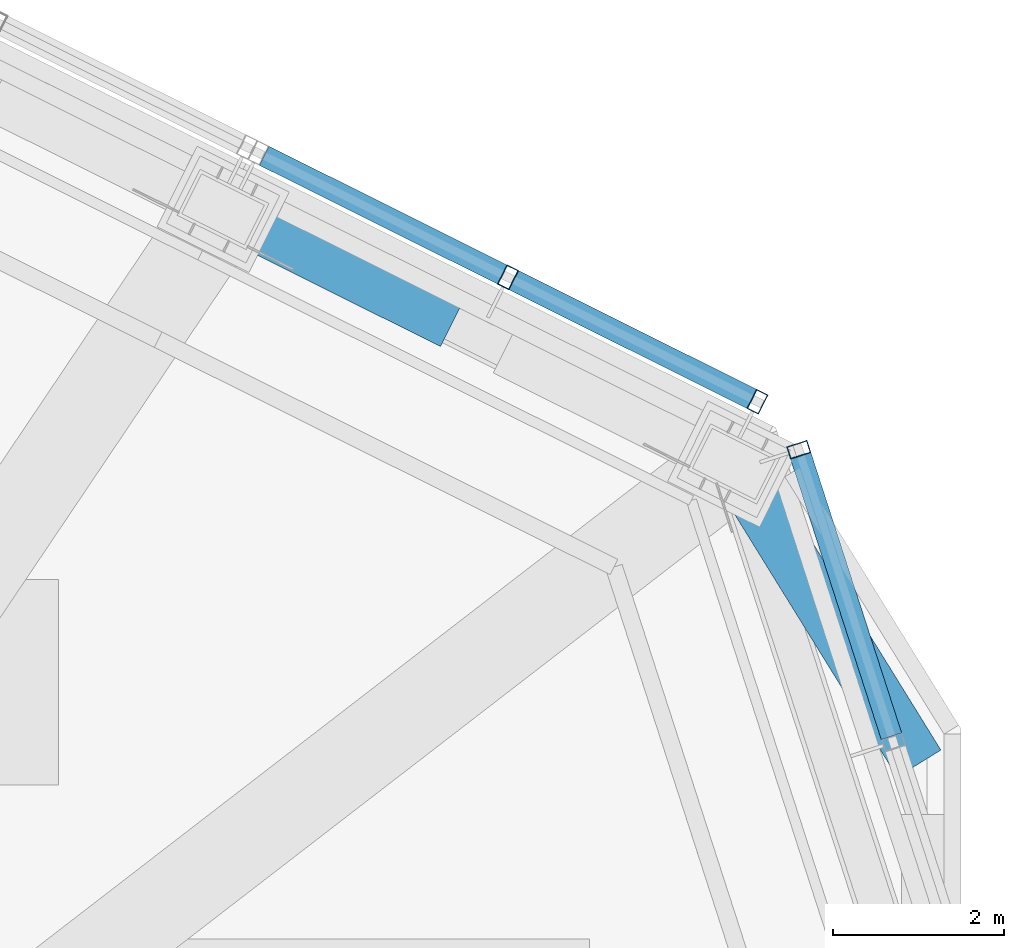
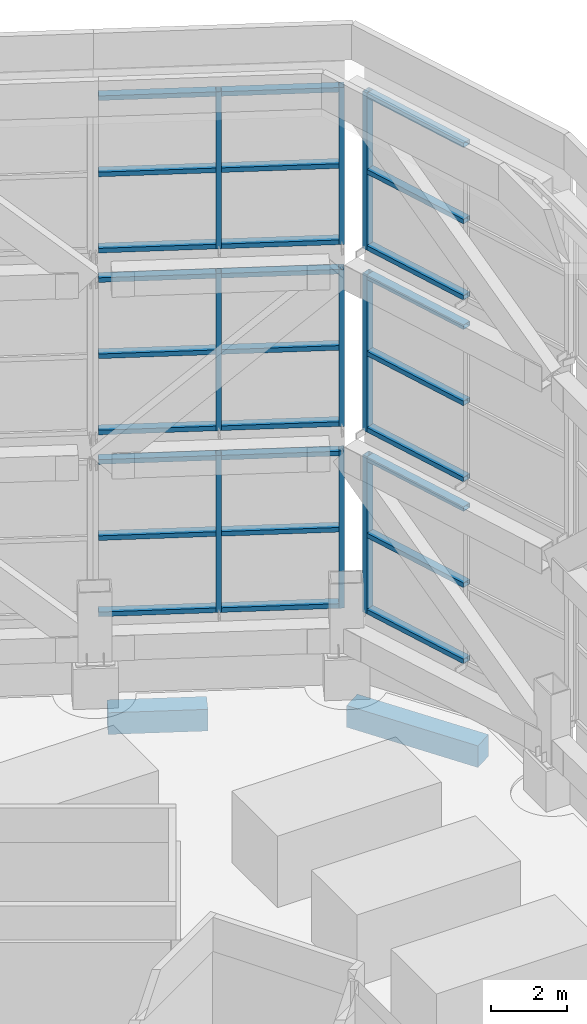
# One storey, part 16 of 46: 36 members, 2 beams, 6 elements without a shape of their own.
"""IFC4 building model written with IfcOpenShell, lengths in metres."""

from ifc_helpers import new_model, si_unit, direction, frame, origin, origin_2d, place, context, subcontext, project, spatial, rectangle, hollow_rectangle, extrude, material, material_profile, profile_set, type_object, element, aggregate, save


model = new_model("IFC4")

# Units and contexts
model_context = context("Model", 3, precision=1e-05, world=origin(), true_north=direction((0.0, 1.0)))
body_context = subcontext(model_context, "Body", "Model", "MODEL_VIEW")
ifc_project = project(units=[si_unit("LENGTHUNIT", "METRE"), si_unit("AREAUNIT", "SQUARE_METRE"), si_unit("VOLUMEUNIT", "CUBIC_METRE"), si_unit("PLANEANGLEUNIT", "RADIAN"), si_unit("MASSUNIT", "GRAM", prefix="KILO")], contexts=[model_context])

# Site, building, storey
site_placement = place(None, origin())
site = spatial("IfcSite", under=ifc_project, at=site_placement, CompositionType="ELEMENT")
building_placement = place(site_placement, origin())
building = spatial("IfcBuilding", under=site, at=building_placement, Name="Vanh Sen Convention Tower", CompositionType="ELEMENT")
storey_placement = place(building_placement, frame((0.0, 0.0, 305.0)))
storey = spatial("IfcBuildingStorey", under=building, at=storey_placement, Name="Roof level", CompositionType="ELEMENT", Elevation=305.0)

# Curtain wall, member
ifc_material_1 = material(Name="Concrete C60/75", Category="concrete")
curtain_wall_type = type_object("IfcCurtainWallType", Name="Crown screen", PredefinedType="NOTDEFINED", material=ifc_material_1)
curtain_wall_1_placement = place(storey_placement, origin())
curtain_wall_1 = element("IfcCurtainWall", 1, at=curtain_wall_1_placement, inside=storey, type_object=curtain_wall_type, Name="CROWN SCREEN 03 tier 1", PredefinedType="NOTDEFINED")
ifc_material_2 = material(Name="Steel S355", Category="steel")
ifc_material_profile_1 = material_profile(ifc_material_2, hollow_rectangle(XDim=0.25, YDim=0.14990234375, WallThickness=0.008056640625, at=origin_2d()), Name="RHS 250X150X8")
ifc_profile_set_1 = profile_set([ifc_material_profile_1], Name="Steel S355")
member_type_1 = type_object("IfcMemberType", Name="Crown screen mullion RHS 250X150X8", PredefinedType="MULLION", material=ifc_profile_set_1)
member_1_placement = place(storey_placement, frame((17.30322265625, 12.92626953125, 2.14501953125), z_axis=(0.0, 0.0, 1.0), x_axis=(-0.951472815638, -0.307732807972, 0.0)))
member_1 = element("IfcMember", 2, at=member_1_placement, type_object=member_type_1, Name="CROWN SCREEN6 mullion 3", PredefinedType="MULLION", context=body_context, shape_type="SweptSolid", body=[
    extrude(hollow_rectangle(XDim=0.25, YDim=0.14990234375, WallThickness=0.008056640625, at=origin_2d()), origin(), (0.0, 0.0, 1.0), 5.068359375),
])

curtain_wall_2_placement = place(storey_placement, origin())
curtain_wall_2 = element("IfcCurtainWall", 3, at=curtain_wall_2_placement, inside=storey, type_object=curtain_wall_type, Name="CROWN SCREEN 03 tier 2", PredefinedType="NOTDEFINED")
member_2_placement = place(storey_placement, frame((17.30322265625, 12.92626953125, 8.01318359375), z_axis=(0.0, 0.0, 1.0), x_axis=(-0.951472815638, -0.307732807972, 0.0)))
member_2 = element("IfcMember", 4, at=member_2_placement, type_object=member_type_1, Name="CROWN SCREEN6 mullion 3", PredefinedType="MULLION", context=body_context, shape_type="SweptSolid", body=[
    extrude(hollow_rectangle(XDim=0.25, YDim=0.14990234375, WallThickness=0.008056640625, at=origin_2d()), origin(), (0.0, 0.0, 1.0), 5.068603515625),
])

curtain_wall_3_placement = place(storey_placement, origin())
curtain_wall_3 = element("IfcCurtainWall", 5, at=curtain_wall_3_placement, inside=storey, type_object=curtain_wall_type, Name="CROWN SCREEN 03 tier 3", PredefinedType="NOTDEFINED")
member_3_placement = place(storey_placement, frame((17.30322265625, 12.92626953125, 13.881591796875), z_axis=(0.0, 0.0, 1.0), x_axis=(-0.951472815638, -0.307732807972, 0.0)))
member_3 = element("IfcMember", 6, at=member_3_placement, type_object=member_type_1, Name="CROWN SCREEN6 mullion 3", PredefinedType="MULLION", context=body_context, shape_type="SweptSolid", body=[
    extrude(hollow_rectangle(XDim=0.25, YDim=0.14990234375, WallThickness=0.008056640625, at=origin_2d()), origin(), (0.0, 0.0, 1.0), 5.068359375),
])

# Curtain wall, members
curtain_wall_4_placement = place(storey_placement, origin())
curtain_wall_4 = element("IfcCurtainWall", 7, at=curtain_wall_4_placement, inside=storey, type_object=curtain_wall_type, Name="CROWN SCREEN 04 tier 1", PredefinedType="NOTDEFINED")
member_4_placement = place(storey_placement, frame((16.8212890625, 13.486328125, 2.14501953125), z_axis=(0.0, 0.0, 1.0), x_axis=(-0.446204803111, -0.894930876482, 0.0)))
member_4 = element("IfcMember", 8, at=member_4_placement, type_object=member_type_1, Name="CROWN SCREEN6 mullion 1", PredefinedType="MULLION", context=body_context, shape_type="SweptSolid", body=[
    extrude(hollow_rectangle(XDim=0.25, YDim=0.14990234375, WallThickness=0.008056640625, at=origin_2d()), origin(), (0.0, 0.0, 1.0), 5.068359375),
])
member_5_placement = place(storey_placement, frame((13.906982421875, 14.939453125, 2.14501953125), z_axis=(0.0, 0.0, 1.0), x_axis=(-0.446204803111, -0.894930876482, 0.0)))
member_5 = element("IfcMember", 9, at=member_5_placement, type_object=member_type_1, Name="CROWN SCREEN6 mullion 2", PredefinedType="MULLION", context=body_context, shape_type="SweptSolid", body=[
    extrude(hollow_rectangle(XDim=0.25, YDim=0.14990234375, WallThickness=0.008056640625, at=origin_2d()), origin(), (0.0, 0.0, 1.0), 5.068359375),
])

curtain_wall_5_placement = place(storey_placement, origin())
curtain_wall_5 = element("IfcCurtainWall", 10, at=curtain_wall_5_placement, inside=storey, type_object=curtain_wall_type, Name="CROWN SCREEN 04 tier 2", PredefinedType="NOTDEFINED")
member_6_placement = place(storey_placement, frame((16.8212890625, 13.486328125, 8.01318359375), z_axis=(0.0, 0.0, 1.0), x_axis=(-0.446204803111, -0.894930876482, 0.0)))
member_6 = element("IfcMember", 11, at=member_6_placement, type_object=member_type_1, Name="CROWN SCREEN6 mullion 1", PredefinedType="MULLION", context=body_context, shape_type="SweptSolid", body=[
    extrude(hollow_rectangle(XDim=0.25, YDim=0.14990234375, WallThickness=0.008056640625, at=origin_2d()), origin(), (0.0, 0.0, 1.0), 5.068603515625),
])
member_7_placement = place(storey_placement, frame((13.906982421875, 14.939453125, 8.01318359375), z_axis=(0.0, 0.0, 1.0), x_axis=(-0.446204803111, -0.894930876482, 0.0)))
member_7 = element("IfcMember", 12, at=member_7_placement, type_object=member_type_1, Name="CROWN SCREEN6 mullion 2", PredefinedType="MULLION", context=body_context, shape_type="SweptSolid", body=[
    extrude(hollow_rectangle(XDim=0.25, YDim=0.14990234375, WallThickness=0.008056640625, at=origin_2d()), origin(), (0.0, 0.0, 1.0), 5.068603515625),
])

curtain_wall_6_placement = place(storey_placement, origin())
curtain_wall_6 = element("IfcCurtainWall", 13, at=curtain_wall_6_placement, inside=storey, type_object=curtain_wall_type, Name="CROWN SCREEN 04 tier 3", PredefinedType="NOTDEFINED")
member_8_placement = place(storey_placement, frame((16.8212890625, 13.486328125, 13.881591796875), z_axis=(0.0, 0.0, 1.0), x_axis=(-0.446204803111, -0.894930876482, 0.0)))
member_8 = element("IfcMember", 14, at=member_8_placement, type_object=member_type_1, Name="CROWN SCREEN6 mullion 1", PredefinedType="MULLION", context=body_context, shape_type="SweptSolid", body=[
    extrude(hollow_rectangle(XDim=0.25, YDim=0.14990234375, WallThickness=0.008056640625, at=origin_2d()), origin(), (0.0, 0.0, 1.0), 5.068359375),
])
member_9_placement = place(storey_placement, frame((13.906982421875, 14.939453125, 13.881591796875), z_axis=(0.0, 0.0, 1.0), x_axis=(-0.446204803111, -0.894930876482, 0.0)))
member_9 = element("IfcMember", 15, at=member_9_placement, type_object=member_type_1, Name="CROWN SCREEN6 mullion 2", PredefinedType="MULLION", context=body_context, shape_type="SweptSolid", body=[
    extrude(hollow_rectangle(XDim=0.25, YDim=0.14990234375, WallThickness=0.008056640625, at=origin_2d()), origin(), (0.0, 0.0, 1.0), 5.068359375),
])

# Member
ifc_material_profile_2 = material_profile(ifc_material_2, hollow_rectangle(XDim=0.25, YDim=0.14990234375, WallThickness=0.008056640625, at=origin_2d()), Name="RHS 250X150X8")
ifc_profile_set_2 = profile_set([ifc_material_profile_2], Name="Steel S355")
member_type_2 = type_object("IfcMemberType", Name="Crown screen transom RHS 250X150X8", PredefinedType="USERDEFINED", material=ifc_profile_set_2)
member_10_placement = place(storey_placement, frame((18.3857421875, 9.579345703125, 2.219970703125), z_axis=(-0.307769306437, 0.951461010244, 0.0), x_axis=(-0.951461010244, -0.307769306437, 0.0)))
member_10 = element("IfcMember", 16, at=member_10_placement, type_object=member_type_2, Name="CROWN SCREEN6 transom 2.1", ObjectType="TRANSOM", PredefinedType="USERDEFINED", context=body_context, shape_type="SweptSolid", body=[
    extrude(hollow_rectangle(XDim=0.25, YDim=0.14990234375, WallThickness=0.008056640625, at=origin_2d()), origin(), (0.0, 0.0, 1.0), 3.442626953125),
])

member_11_placement = place(storey_placement, frame((18.3857421875, 9.579345703125, 4.67919921875), z_axis=(-0.307769306437, 0.951461010244, 0.0), x_axis=(-0.951461010244, -0.307769306437, 0.0)))
member_11 = element("IfcMember", 17, at=member_11_placement, type_object=member_type_2, Name="CROWN SCREEN6 transom 2.2", ObjectType="TRANSOM", PredefinedType="USERDEFINED", context=body_context, shape_type="SweptSolid", body=[
    extrude(hollow_rectangle(XDim=0.25, YDim=0.14990234375, WallThickness=0.008056640625, at=origin_2d()), origin(), (0.0, 0.0, 1.0), 3.442626953125),
])

member_12_placement = place(storey_placement, frame((18.3857421875, 9.579345703125, 7.13818359375), z_axis=(-0.307769306437, 0.951461010244, 0.0), x_axis=(-0.951461010244, -0.307769306437, 0.0)))
member_12 = element("IfcMember", 18, at=member_12_placement, type_object=member_type_2, Name="CROWN SCREEN6 transom 2.3", ObjectType="TRANSOM", PredefinedType="USERDEFINED", context=body_context, shape_type="SweptSolid", body=[
    extrude(hollow_rectangle(XDim=0.25, YDim=0.14990234375, WallThickness=0.008056640625, at=origin_2d()), origin(), (0.0, 0.0, 1.0), 3.442626953125),
])

aggregate(curtain_wall_1, [member_1, member_10, member_11, member_12])

member_13_placement = place(storey_placement, frame((18.3857421875, 9.579345703125, 8.08837890625), z_axis=(-0.307769306437, 0.951461010244, 0.0), x_axis=(-0.951461010244, -0.307769306437, 0.0)))
member_13 = element("IfcMember", 19, at=member_13_placement, type_object=member_type_2, Name="CROWN SCREEN6 transom 2.1", ObjectType="TRANSOM", PredefinedType="USERDEFINED", context=body_context, shape_type="SweptSolid", body=[
    extrude(hollow_rectangle(XDim=0.25, YDim=0.14990234375, WallThickness=0.008056640625, at=origin_2d()), origin(), (0.0, 0.0, 1.0), 3.442626953125),
])

member_14_placement = place(storey_placement, frame((18.3857421875, 9.579345703125, 10.547607421875), z_axis=(-0.307769306437, 0.951461010244, 0.0), x_axis=(-0.951461010244, -0.307769306437, 0.0)))
member_14 = element("IfcMember", 20, at=member_14_placement, type_object=member_type_2, Name="CROWN SCREEN6 transom 2.2", ObjectType="TRANSOM", PredefinedType="USERDEFINED", context=body_context, shape_type="SweptSolid", body=[
    extrude(hollow_rectangle(XDim=0.25, YDim=0.14990234375, WallThickness=0.008056640625, at=origin_2d()), origin(), (0.0, 0.0, 1.0), 3.442626953125),
])

member_15_placement = place(storey_placement, frame((18.3857421875, 9.579345703125, 13.006591796875), z_axis=(-0.307769306437, 0.951461010244, 0.0), x_axis=(-0.951461010244, -0.307769306437, 0.0)))
member_15 = element("IfcMember", 21, at=member_15_placement, type_object=member_type_2, Name="CROWN SCREEN6 transom 2.3", ObjectType="TRANSOM", PredefinedType="USERDEFINED", context=body_context, shape_type="SweptSolid", body=[
    extrude(hollow_rectangle(XDim=0.25, YDim=0.14990234375, WallThickness=0.008056640625, at=origin_2d()), origin(), (0.0, 0.0, 1.0), 3.442626953125),
])

aggregate(curtain_wall_2, [member_2, member_13, member_14, member_15])

member_16_placement = place(storey_placement, frame((18.3857421875, 9.579345703125, 13.956787109375), z_axis=(-0.307769306437, 0.951461010244, 0.0), x_axis=(-0.951461010244, -0.307769306437, 0.0)))
member_16 = element("IfcMember", 22, at=member_16_placement, type_object=member_type_2, Name="CROWN SCREEN6 transom 2.1", ObjectType="TRANSOM", PredefinedType="USERDEFINED", context=body_context, shape_type="SweptSolid", body=[
    extrude(hollow_rectangle(XDim=0.25, YDim=0.14990234375, WallThickness=0.008056640625, at=origin_2d()), origin(), (0.0, 0.0, 1.0), 3.442626953125),
])

member_17_placement = place(storey_placement, frame((18.3857421875, 9.579345703125, 16.415771484375), z_axis=(-0.307769306437, 0.951461010244, 0.0), x_axis=(-0.951461010244, -0.307769306437, 0.0)))
member_17 = element("IfcMember", 23, at=member_17_placement, type_object=member_type_2, Name="CROWN SCREEN6 transom 2.2", ObjectType="TRANSOM", PredefinedType="USERDEFINED", context=body_context, shape_type="SweptSolid", body=[
    extrude(hollow_rectangle(XDim=0.25, YDim=0.14990234375, WallThickness=0.008056640625, at=origin_2d()), origin(), (0.0, 0.0, 1.0), 3.442626953125),
])

member_18_placement = place(storey_placement, frame((18.3857421875, 9.579345703125, 18.875), z_axis=(-0.307769306437, 0.951461010244, 0.0), x_axis=(-0.951461010244, -0.307769306437, 0.0)))
member_18 = element("IfcMember", 24, at=member_18_placement, type_object=member_type_2, Name="CROWN SCREEN6 transom 2.3", ObjectType="TRANSOM", PredefinedType="USERDEFINED", context=body_context, shape_type="SweptSolid", body=[
    extrude(hollow_rectangle(XDim=0.25, YDim=0.14990234375, WallThickness=0.008056640625, at=origin_2d()), origin(), (0.0, 0.0, 1.0), 3.442626953125),
])

aggregate(curtain_wall_3, [member_3, member_16, member_17, member_18])

member_19_placement = place(storey_placement, frame((16.754150390625, 13.519775390625, 2.219970703125), z_axis=(-0.894913923324, 0.446238803603, 0.0), x_axis=(-0.446238803603, -0.894913923324, 0.0)))
member_19 = element("IfcMember", 25, at=member_19_placement, type_object=member_type_2, Name="CROWN SCREEN6 transom 1.1", ObjectType="TRANSOM", PredefinedType="USERDEFINED", context=body_context, shape_type="SweptSolid", body=[
    extrude(hollow_rectangle(XDim=0.25, YDim=0.14990234375, WallThickness=0.008056640625, at=origin_2d()), origin(), (0.0, 0.0, 1.0), 3.1064453125),
])

member_20_placement = place(storey_placement, frame((16.754150390625, 13.519775390625, 4.67919921875), z_axis=(-0.894913923324, 0.446238803603, 0.0), x_axis=(-0.446238803603, -0.894913923324, 0.0)))
member_20 = element("IfcMember", 26, at=member_20_placement, type_object=member_type_2, Name="CROWN SCREEN6 transom 1.2", ObjectType="TRANSOM", PredefinedType="USERDEFINED", context=body_context, shape_type="SweptSolid", body=[
    extrude(hollow_rectangle(XDim=0.25, YDim=0.14990234375, WallThickness=0.008056640625, at=origin_2d()), origin(), (0.0, 0.0, 1.0), 3.1064453125),
])

member_21_placement = place(storey_placement, frame((16.754150390625, 13.519775390625, 7.13818359375), z_axis=(-0.894913923324, 0.446238803603, 0.0), x_axis=(-0.446238803603, -0.894913923324, 0.0)))
member_21 = element("IfcMember", 27, at=member_21_placement, type_object=member_type_2, Name="CROWN SCREEN6 transom 1.3", ObjectType="TRANSOM", PredefinedType="USERDEFINED", context=body_context, shape_type="SweptSolid", body=[
    extrude(hollow_rectangle(XDim=0.25, YDim=0.14990234375, WallThickness=0.008056640625, at=origin_2d()), origin(), (0.0, 0.0, 1.0), 3.1064453125),
])

member_22_placement = place(storey_placement, frame((13.83984375, 14.972900390625, 2.219970703125), z_axis=(-0.894929571394, 0.446207420651, 0.0), x_axis=(-0.446207420651, -0.894929571394, 0.0)))
member_22 = element("IfcMember", 28, at=member_22_placement, type_object=member_type_2, Name="CROWN SCREEN6 transom 2.1", ObjectType="TRANSOM", PredefinedType="USERDEFINED", context=body_context, shape_type="SweptSolid", body=[
    extrude(hollow_rectangle(XDim=0.25, YDim=0.14990234375, WallThickness=0.008056640625, at=origin_2d()), origin(), (0.0, 0.0, 1.0), 3.106689453125),
])

member_23_placement = place(storey_placement, frame((13.83984375, 14.972900390625, 4.67919921875), z_axis=(-0.894929571394, 0.446207420651, 0.0), x_axis=(-0.446207420651, -0.894929571394, 0.0)))
member_23 = element("IfcMember", 29, at=member_23_placement, type_object=member_type_2, Name="CROWN SCREEN6 transom 2.2", ObjectType="TRANSOM", PredefinedType="USERDEFINED", context=body_context, shape_type="SweptSolid", body=[
    extrude(hollow_rectangle(XDim=0.25, YDim=0.14990234375, WallThickness=0.008056640625, at=origin_2d()), origin(), (0.0, 0.0, 1.0), 3.106689453125),
])

member_24_placement = place(storey_placement, frame((13.83984375, 14.972900390625, 7.13818359375), z_axis=(-0.894929571394, 0.446207420651, 0.0), x_axis=(-0.446207420651, -0.894929571394, 0.0)))
member_24 = element("IfcMember", 30, at=member_24_placement, type_object=member_type_2, Name="CROWN SCREEN6 transom 2.3", ObjectType="TRANSOM", PredefinedType="USERDEFINED", context=body_context, shape_type="SweptSolid", body=[
    extrude(hollow_rectangle(XDim=0.25, YDim=0.14990234375, WallThickness=0.008056640625, at=origin_2d()), origin(), (0.0, 0.0, 1.0), 3.106689453125),
])

aggregate(curtain_wall_4, [member_4, member_5, member_19, member_20, member_21, member_22, member_23, member_24])

member_25_placement = place(storey_placement, frame((16.754150390625, 13.519775390625, 8.08837890625), z_axis=(-0.894913923324, 0.446238803603, 0.0), x_axis=(-0.446238803603, -0.894913923324, 0.0)))
member_25 = element("IfcMember", 31, at=member_25_placement, type_object=member_type_2, Name="CROWN SCREEN6 transom 1.1", ObjectType="TRANSOM", PredefinedType="USERDEFINED", context=body_context, shape_type="SweptSolid", body=[
    extrude(hollow_rectangle(XDim=0.25, YDim=0.14990234375, WallThickness=0.008056640625, at=origin_2d()), origin(), (0.0, 0.0, 1.0), 3.1064453125),
])

member_26_placement = place(storey_placement, frame((16.754150390625, 13.519775390625, 10.547607421875), z_axis=(-0.894913923324, 0.446238803603, 0.0), x_axis=(-0.446238803603, -0.894913923324, 0.0)))
member_26 = element("IfcMember", 32, at=member_26_placement, type_object=member_type_2, Name="CROWN SCREEN6 transom 1.2", ObjectType="TRANSOM", PredefinedType="USERDEFINED", context=body_context, shape_type="SweptSolid", body=[
    extrude(hollow_rectangle(XDim=0.25, YDim=0.14990234375, WallThickness=0.008056640625, at=origin_2d()), origin(), (0.0, 0.0, 1.0), 3.1064453125),
])

member_27_placement = place(storey_placement, frame((16.754150390625, 13.519775390625, 13.006591796875), z_axis=(-0.894913923324, 0.446238803603, 0.0), x_axis=(-0.446238803603, -0.894913923324, 0.0)))
member_27 = element("IfcMember", 33, at=member_27_placement, type_object=member_type_2, Name="CROWN SCREEN6 transom 1.3", ObjectType="TRANSOM", PredefinedType="USERDEFINED", context=body_context, shape_type="SweptSolid", body=[
    extrude(hollow_rectangle(XDim=0.25, YDim=0.14990234375, WallThickness=0.008056640625, at=origin_2d()), origin(), (0.0, 0.0, 1.0), 3.1064453125),
])

member_28_placement = place(storey_placement, frame((13.83984375, 14.972900390625, 8.08837890625), z_axis=(-0.894929571394, 0.446207420651, 0.0), x_axis=(-0.446207420651, -0.894929571394, 0.0)))
member_28 = element("IfcMember", 34, at=member_28_placement, type_object=member_type_2, Name="CROWN SCREEN6 transom 2.1", ObjectType="TRANSOM", PredefinedType="USERDEFINED", context=body_context, shape_type="SweptSolid", body=[
    extrude(hollow_rectangle(XDim=0.25, YDim=0.14990234375, WallThickness=0.008056640625, at=origin_2d()), origin(), (0.0, 0.0, 1.0), 3.106689453125),
])

member_29_placement = place(storey_placement, frame((13.83984375, 14.972900390625, 10.547607421875), z_axis=(-0.894929571394, 0.446207420651, 0.0), x_axis=(-0.446207420651, -0.894929571394, 0.0)))
member_29 = element("IfcMember", 35, at=member_29_placement, type_object=member_type_2, Name="CROWN SCREEN6 transom 2.2", ObjectType="TRANSOM", PredefinedType="USERDEFINED", context=body_context, shape_type="SweptSolid", body=[
    extrude(hollow_rectangle(XDim=0.25, YDim=0.14990234375, WallThickness=0.008056640625, at=origin_2d()), origin(), (0.0, 0.0, 1.0), 3.106689453125),
])

member_30_placement = place(storey_placement, frame((13.83984375, 14.972900390625, 13.006591796875), z_axis=(-0.894929571394, 0.446207420651, 0.0), x_axis=(-0.446207420651, -0.894929571394, 0.0)))
member_30 = element("IfcMember", 36, at=member_30_placement, type_object=member_type_2, Name="CROWN SCREEN6 transom 2.3", ObjectType="TRANSOM", PredefinedType="USERDEFINED", context=body_context, shape_type="SweptSolid", body=[
    extrude(hollow_rectangle(XDim=0.25, YDim=0.14990234375, WallThickness=0.008056640625, at=origin_2d()), origin(), (0.0, 0.0, 1.0), 3.106689453125),
])

aggregate(curtain_wall_5, [member_6, member_7, member_25, member_26, member_27, member_28, member_29, member_30])

member_31_placement = place(storey_placement, frame((16.754150390625, 13.519775390625, 13.956787109375), z_axis=(-0.894913923324, 0.446238803603, 0.0), x_axis=(-0.446238803603, -0.894913923324, 0.0)))
member_31 = element("IfcMember", 37, at=member_31_placement, type_object=member_type_2, Name="CROWN SCREEN6 transom 1.1", ObjectType="TRANSOM", PredefinedType="USERDEFINED", context=body_context, shape_type="SweptSolid", body=[
    extrude(hollow_rectangle(XDim=0.25, YDim=0.14990234375, WallThickness=0.008056640625, at=origin_2d()), origin(), (0.0, 0.0, 1.0), 3.1064453125),
])

member_32_placement = place(storey_placement, frame((16.754150390625, 13.519775390625, 16.415771484375), z_axis=(-0.894913923324, 0.446238803603, 0.0), x_axis=(-0.446238803603, -0.894913923324, 0.0)))
member_32 = element("IfcMember", 38, at=member_32_placement, type_object=member_type_2, Name="CROWN SCREEN6 transom 1.2", ObjectType="TRANSOM", PredefinedType="USERDEFINED", context=body_context, shape_type="SweptSolid", body=[
    extrude(hollow_rectangle(XDim=0.25, YDim=0.14990234375, WallThickness=0.008056640625, at=origin_2d()), origin(), (0.0, 0.0, 1.0), 3.1064453125),
])

member_33_placement = place(storey_placement, frame((16.754150390625, 13.519775390625, 18.875), z_axis=(-0.894913923324, 0.446238803603, 0.0), x_axis=(-0.446238803603, -0.894913923324, 0.0)))
member_33 = element("IfcMember", 39, at=member_33_placement, type_object=member_type_2, Name="CROWN SCREEN6 transom 1.3", ObjectType="TRANSOM", PredefinedType="USERDEFINED", context=body_context, shape_type="SweptSolid", body=[
    extrude(hollow_rectangle(XDim=0.25, YDim=0.14990234375, WallThickness=0.008056640625, at=origin_2d()), origin(), (0.0, 0.0, 1.0), 3.1064453125),
])

member_34_placement = place(storey_placement, frame((13.83984375, 14.972900390625, 13.956787109375), z_axis=(-0.894929571394, 0.446207420651, 0.0), x_axis=(-0.446207420651, -0.894929571394, 0.0)))
member_34 = element("IfcMember", 40, at=member_34_placement, type_object=member_type_2, Name="CROWN SCREEN6 transom 2.1", ObjectType="TRANSOM", PredefinedType="USERDEFINED", context=body_context, shape_type="SweptSolid", body=[
    extrude(hollow_rectangle(XDim=0.25, YDim=0.14990234375, WallThickness=0.008056640625, at=origin_2d()), origin(), (0.0, 0.0, 1.0), 3.106689453125),
])

member_35_placement = place(storey_placement, frame((13.83984375, 14.972900390625, 16.415771484375), z_axis=(-0.894929571394, 0.446207420651, 0.0), x_axis=(-0.446207420651, -0.894929571394, 0.0)))
member_35 = element("IfcMember", 41, at=member_35_placement, type_object=member_type_2, Name="CROWN SCREEN6 transom 2.2", ObjectType="TRANSOM", PredefinedType="USERDEFINED", context=body_context, shape_type="SweptSolid", body=[
    extrude(hollow_rectangle(XDim=0.25, YDim=0.14990234375, WallThickness=0.008056640625, at=origin_2d()), origin(), (0.0, 0.0, 1.0), 3.106689453125),
])

member_36_placement = place(storey_placement, frame((13.83984375, 14.972900390625, 18.875), z_axis=(-0.894929571394, 0.446207420651, 0.0), x_axis=(-0.446207420651, -0.894929571394, 0.0)))
member_36 = element("IfcMember", 42, at=member_36_placement, type_object=member_type_2, Name="CROWN SCREEN6 transom 2.3", ObjectType="TRANSOM", PredefinedType="USERDEFINED", context=body_context, shape_type="SweptSolid", body=[
    extrude(hollow_rectangle(XDim=0.25, YDim=0.14990234375, WallThickness=0.008056640625, at=origin_2d()), origin(), (0.0, 0.0, 1.0), 3.106689453125),
])

aggregate(curtain_wall_6, [member_8, member_9, member_31, member_32, member_33, member_34, member_35, member_36])

# Beams
ifc_material_3 = material(Name="Concrete C50/60", Category="concrete")
ifc_material_profile_3 = material_profile(ifc_material_3, rectangle(XDim=0.60009765625, YDim=0.699951171875, at=origin_2d()), Name="RC 600X700")
ifc_profile_set_3 = profile_set([ifc_material_profile_3], Name="Concrete C50/60")
beam_type = type_object("IfcBeamType", Name="Spandrel beam 600 x 700", PredefinedType="SPANDREL", material=ifc_profile_set_3)
beam_1_placement = place(storey_placement, frame((18.707763671875, 9.260498046875, -0.64990234375), z_axis=(-0.526205246262, 0.850357594666, 0.0), x_axis=(-0.850357594666, -0.526205246262, 0.0)))
element("IfcBeam", 43, at=beam_1_placement, inside=storey, type_object=beam_type, Name="Spandrel beam 06 Roof level", PredefinedType="SPANDREL", context=body_context, shape_type="SweptSolid", body=[
    extrude(rectangle(XDim=0.60009765625, YDim=0.699951171875, at=origin_2d()), origin(), (0.0, 0.0, 1.0), 3.93896484375),
])
beam_2_placement = place(storey_placement, frame((13.25244140625, 14.399658203125, -0.64990234375), z_axis=(-0.894907211367, 0.446252263909, 0.0), x_axis=(-0.446252263909, -0.894907211367, 0.0)))
element("IfcBeam", 44, at=beam_2_placement, inside=storey, type_object=beam_type, Name="Spandrel beam 08 Roof level", PredefinedType="SPANDREL", context=body_context, shape_type="SweptSolid", body=[
    extrude(rectangle(XDim=0.60009765625, YDim=0.699951171875, at=origin_2d()), origin(), (0.0, 0.0, 1.0), 2.641845703125),
])

save(model, "model.ifc")
